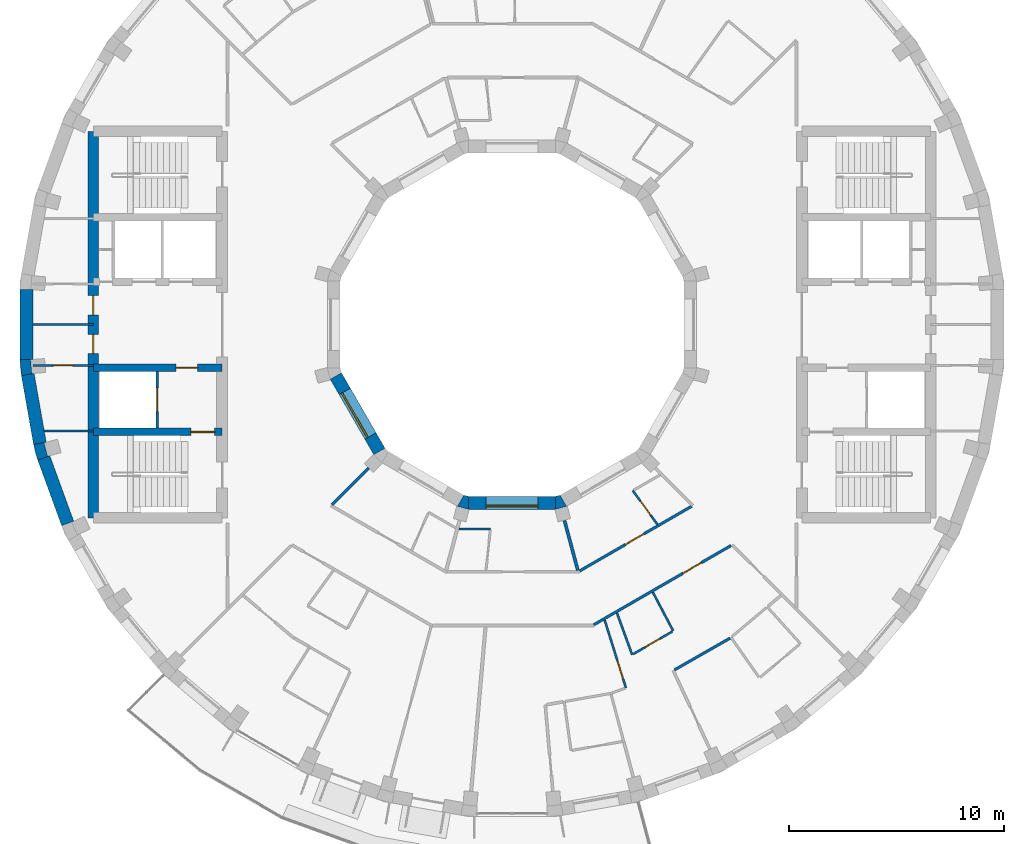
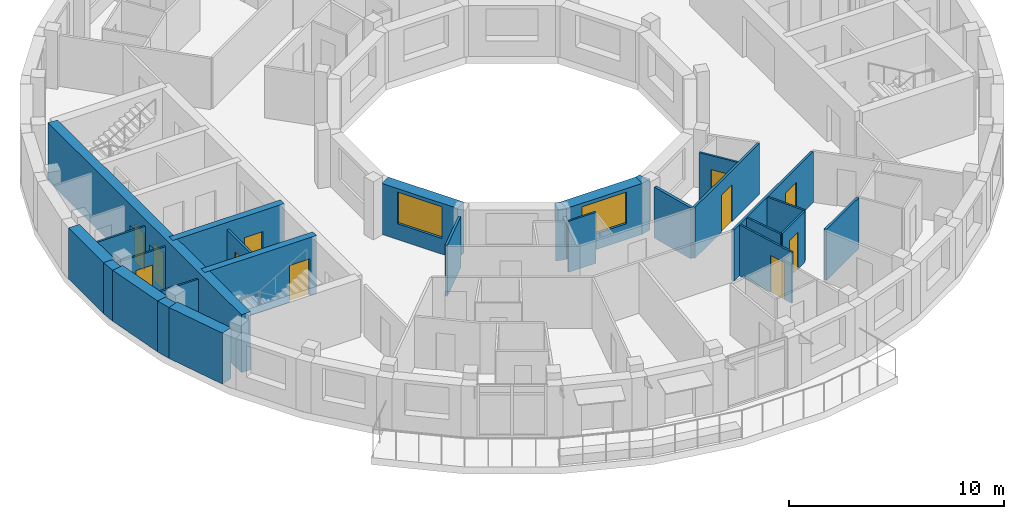
# One storey, part 5 of 12: 27 walls, 11 doors, 2 windows, 13 openings.
"""IFC4 building model written with IfcOpenShell, lengths in metres."""

from ifc_helpers import new_model, si_unit, direction, frame, frame_2d, origin, place, context, subcontext, project, spatial, polyline, rectangle, outline, extrude, material, layer, layer_set, type_object, element, fill, save


model = new_model("IFC4")

# Units and contexts
model_context = context("Model", 3, precision=1e-05, world=origin(), true_north=direction((0.0, 1.0)))
body_context = subcontext(model_context, "Body", "Model", "MODEL_VIEW")
ifc_project = project(units=[si_unit("LENGTHUNIT", "METRE"), si_unit("AREAUNIT", "SQUARE_METRE"), si_unit("VOLUMEUNIT", "CUBIC_METRE"), si_unit("PLANEANGLEUNIT", "RADIAN"), si_unit("MASSUNIT", "GRAM", prefix="KILO")], contexts=[model_context])

# Site, building, storey
site_placement = place(None, origin())
site = spatial("IfcSite", under=ifc_project, at=site_placement, CompositionType="ELEMENT")
building_placement = place(site_placement, origin())
building = spatial("IfcBuilding", under=site, at=building_placement, Name="Saqina Gate Tower", CompositionType="ELEMENT")
storey_placement = place(building_placement, frame((0.0, 0.0, 272.60009765625)))
storey = spatial("IfcBuildingStorey", under=building, at=storey_placement, Name="L78", CompositionType="ELEMENT", Elevation=272.60009765625)

# Walls
ifc_material_1 = material(Name="Brick masonry (buff)", Category="masonry")
wall_type_1 = type_object("IfcWallType", Name="BRICK PIER COPING BUFF", PredefinedType="SOLIDWALL", material=ifc_material_1)
wall_1_placement = place(storey_placement, origin())
element("IfcWall", 1, at=wall_1_placement, inside=storey, type_object=wall_type_1, Name="Pier cap L78 column 19", PredefinedType="SOLIDWALL", context=body_context, shape_type="SweptSolid", body=[
    extrude(outline(polyline([(-22.91259765625, -1.625732421875), (-22.8466796875, -2.377685546875), (-22.255859375, -2.2734375), (-22.361083984375, -2.28271484375), (-22.417724609375, -1.635009765625), (-22.3125, -1.625732421875), (-22.91259765625, -1.625732421875)])), origin(), (0.0, 0.0, 1.0), 2.89990234375),
])
wall_2_placement = place(storey_placement, origin())
element("IfcWall", 2, at=wall_2_placement, inside=storey, type_object=wall_type_1, Name="Pier cap L78 column 20", PredefinedType="SOLIDWALL", context=body_context, shape_type="SweptSolid", body=[
    extrude(outline(polyline([(-22.0869140625, -6.30859375), (-21.52294921875, -6.103515625), (-21.625, -6.130859375), (-21.793212890625, -5.5029296875), (-21.691162109375, -5.4755859375), (-22.281982421875, -5.579833984375), (-22.0869140625, -6.30859375)])), origin(), (0.0, 0.0, 1.0), 2.89990234375),
])
ifc_material_2 = material(Name="Gypsum board on steel studs", Category="steel")
ifc_layer_1 = layer(ifc_material_2, 0.10009765625)
ifc_layer_set_1 = layer_set([ifc_layer_1], Name="CORE PARTITION")
wall_type_2 = type_object("IfcWallType", Name="CORE PARTITION", PredefinedType="PARTITIONING", material=ifc_layer_set_1)
wall_3_placement = place(storey_placement, frame((-19.5, -4.949951171875, 0.0), z_axis=(0.0, 0.0, 1.0), x_axis=(-1.0, 0.0, 0.0)))
element("IfcWall", 3, at=wall_3_placement, inside=storey, type_object=wall_type_2, Name="L78-CP-W04", PredefinedType="PARTITIONING", context=body_context, shape_type="SweptSolid", body=[
    extrude(rectangle(XDim=2.283935546875, YDim=0.10009765625, at=frame_2d((1.14208984375, 0.0))), origin(), (0.0, 0.0, 1.0), 2.89990234375),
])

# Wall, opening, door
wall_4_placement = place(storey_placement, frame((-19.5, -1.89990234375, 0.0), z_axis=(0.0, 0.0, 1.0), x_axis=(-1.0, 0.0, 0.0)))
wall_4 = element("IfcWall", 4, at=wall_4_placement, inside=storey, type_object=wall_type_2, Name="L78-CP-W05", PredefinedType="PARTITIONING", context=body_context, shape_type="SweptSolid", body=[
    extrude(rectangle(XDim=2.8125, YDim=0.10009765625, at=frame_2d((1.40625, 0.0))), origin(), (0.0, 0.0, 1.0), 2.89990234375),
])
opening_1_placement = place(wall_4_placement, frame((0.956298828125, 0.0, 0.0)))
opening_1 = element("IfcOpeningElement", 5, at=opening_1_placement, cuts=wall_4, Name="Opening G23-D105", PredefinedType="OPENING", context=body_context, shape_type="SweptSolid", body=[
    extrude(rectangle(XDim=0.89990234375, YDim=2.10009765625, at=frame_2d((0.449951171875, 1.050048828125))), frame((0.0, 0.06201171875, 0.0), z_axis=(0.0, -1.0, 0.0), x_axis=(1.0, 0.0, 0.0)), (0.0, 0.0, 1.0), 0.1240234375),
])
ifc_material_3 = material(Name="Steel-framed fire door leaf, EI 60", Category="steel")
door_type_1 = type_object("IfcDoorType", Name="SERVICE ROOM DOOR 900", OperationType="SINGLE_SWING_LEFT", PredefinedType="DOOR", material=ifc_material_3)
door_1_placement = place(opening_1_placement, origin())
door_1 = element("IfcDoor", 6, at=door_1_placement, inside=storey, type_object=door_type_1, Name="L78-CD-W16", OperationType="SINGLE_SWING_RIGHT", OverallHeight=2.10009765625, OverallWidth=0.89990234375, PredefinedType="DOOR", context=body_context, shape_type="SweptSolid", body=[
    extrude(rectangle(XDim=0.89990234375, YDim=2.10009765625, at=frame_2d((0.449951171875, 1.050048828125))), frame((0.0, 0.02490234375, 0.0), z_axis=(0.0, -1.0, 0.0), x_axis=(1.0, 0.0, 0.0)), (0.0, 0.0, 1.0), 0.050048828125),
])
fill(opening_1, door_1)

# Walls
wall_5_placement = place(storey_placement, frame((-19.5, 0.0, 0.0), z_axis=(0.0, 0.0, 1.0), x_axis=(-1.0, 0.0, 0.0)))
element("IfcWall", 7, at=wall_5_placement, inside=storey, type_object=wall_type_2, Name="L78-CP-W06", PredefinedType="PARTITIONING", context=body_context, shape_type="SweptSolid", body=[
    extrude(rectangle(XDim=2.8125, YDim=0.10009765625, at=frame_2d((1.40625, 0.0))), origin(), (0.0, 0.0, 1.0), 2.89990234375),
])
ifc_material_4 = material(Name="Glazed ceramic tile", Category="ceramic")
ifc_layer_2 = layer(ifc_material_4, 0.60009765625)
ifc_layer_set_2 = layer_set([ifc_layer_2], Name="FW-TILE")
wall_type_3 = type_object("IfcWallType", Name="FW-TILE", PredefinedType="SOLIDWALL", material=ifc_layer_set_2)
wall_6_placement = place(storey_placement, frame((-22.55126953125, -2.325439453125, 0.0), z_axis=(0.0, 0.0, 1.0), x_axis=(0.173656842178, -0.984806225186, 0.0)))
element("IfcWall", 8, at=wall_6_placement, inside=storey, type_object=wall_type_3, Name="Facade wall L78 facet 19", PredefinedType="SOLIDWALL", context=body_context, shape_type="SweptSolid", body=[
    extrude(rectangle(XDim=3.251708984375, YDim=0.60009765625, at=frame_2d((1.6259765625, 0.0))), origin(), (0.0, 0.0, 1.0), 2.89990234375),
])
ifc_material_5 = material(Name="Glazed ceramic tile (dark blue)", Category="ceramic")
ifc_layer_3 = layer(ifc_material_5, 0.60009765625)
ifc_layer_set_3 = layer_set([ifc_layer_3], Name="FW-TILE-CB")
wall_type_4 = type_object("IfcWallType", Name="FW-TILE-CB", PredefinedType="SOLIDWALL", material=ifc_layer_set_3)
wall_7_placement = place(storey_placement, frame((-21.804931640625, -6.2060546875, 0.0), z_axis=(0.0, 0.0, 1.0), x_axis=(0.342056509473, -0.939679383794, 0.0)))
element("IfcWall", 9, at=wall_7_placement, inside=storey, type_object=wall_type_4, Name="Facade wall L78 facet 20", PredefinedType="SOLIDWALL", context=body_context, shape_type="SweptSolid", body=[
    extrude(rectangle(XDim=3.251708984375, YDim=0.60009765625, at=frame_2d((1.6259765625, 0.0))), origin(), (0.0, 0.0, 1.0), 2.89990234375),
])
ifc_material_6 = material(Name="Glazed ceramic tile (white)", Category="ceramic")
ifc_layer_4 = layer(ifc_material_6, 0.60009765625)
ifc_layer_set_4 = layer_set([ifc_layer_4], Name="FW-TILE-WH")
wall_type_5 = type_object("IfcWallType", Name="FW-TILE-WH", PredefinedType="SOLIDWALL", material=ifc_layer_set_4)
wall_8_placement = place(storey_placement, frame((-22.612548828125, 1.625732421875, 0.0), z_axis=(0.0, 0.0, 1.0), x_axis=(0.0, -1.0, 0.0)))
element("IfcWall", 10, at=wall_8_placement, inside=storey, type_object=wall_type_5, Name="Facade wall L78 facet 18", PredefinedType="SOLIDWALL", context=body_context, shape_type="SweptSolid", body=[
    extrude(rectangle(XDim=3.25146484375, YDim=0.60009765625, at=frame_2d((1.625732421875, 0.0))), origin(), (0.0, 0.0, 1.0), 2.89990234375),
])

# Wall, opening, window
ifc_material_7 = material(Name="Glazed ceramic tile", Category="ceramic")
ifc_layer_5 = layer(ifc_material_7, 0.60009765625)
ifc_layer_set_5 = layer_set([ifc_layer_5], Name="IW-TILE")
wall_type_6 = type_object("IfcWallType", Name="IW-TILE", PredefinedType="SOLIDWALL", material=ifc_layer_set_5)
wall_9_placement = place(storey_placement, frame((-8.20263671875, -2.392578125, 0.0), z_axis=(0.0, 0.0, 1.0), x_axis=(0.499994954979, -0.866028316509, 0.0)))
wall_9 = element("IfcWall", 11, at=wall_9_placement, inside=storey, type_object=wall_type_6, Name="Well wall L78 facet 7", PredefinedType="SOLIDWALL", context=body_context, shape_type="SweptSolid", body=[
    extrude(rectangle(XDim=4.05859375, YDim=0.60009765625, at=frame_2d((2.029296875, 0.0))), origin(), (0.0, 0.0, 1.0), 2.89990234375),
])
opening_2_placement = place(wall_9_placement, frame((0.829345703125, 0.0, 0.89990234375)))
opening_2 = element("IfcOpeningElement", 12, at=opening_2_placement, cuts=wall_9, Name="Opening G23-W29", PredefinedType="OPENING", context=body_context, shape_type="SweptSolid", body=[
    extrude(rectangle(XDim=2.39990234375, YDim=1.800048828125, at=frame_2d((1.199951171875, 0.89990234375))), frame((0.0, 0.31201171875, 0.0), z_axis=(0.0, -1.0, 0.0), x_axis=(1.0, 0.0, 0.0)), (0.0, 0.0, 1.0), 0.6240234375),
])
ifc_material_8 = material(Name="Aluminium glazing", Category="aluminium")
window_type = type_object("IfcWindowType", Name="WN-W", PartitioningType="SINGLE_PANEL", PredefinedType="WINDOW", material=ifc_material_8)
window_1_placement = place(opening_2_placement, origin())
window_1 = element("IfcWindow", 13, at=window_1_placement, inside=storey, type_object=window_type, Name="Well window L78 facet 7", OverallHeight=1.800048828125, OverallWidth=2.39990234375, PartitioningType="SINGLE_PANEL", PredefinedType="WINDOW", context=body_context, shape_type="SweptSolid", body=[
    extrude(rectangle(XDim=2.39990234375, YDim=1.800048828125, at=frame_2d((1.199951171875, 0.89990234375))), frame((0.0, -0.119873046875, 0.0), z_axis=(0.0, -1.0, 0.0), x_axis=(1.0, 0.0, 0.0)), (0.0, 0.0, 1.0), 0.06005859375),
])
fill(opening_2, window_1)

wall_10_placement = place(storey_placement, frame((-2.029296875, -8.300048828125, 0.0), z_axis=(0.0, 0.0, 1.0), x_axis=(1.0, 0.0, 0.0)))
wall_10 = element("IfcWall", 14, at=wall_10_placement, inside=storey, type_object=wall_type_6, Name="Well wall L78 facet 9", PredefinedType="SOLIDWALL", context=body_context, shape_type="SweptSolid", body=[
    extrude(rectangle(XDim=4.05859375, YDim=0.60009765625, at=frame_2d((2.029296875, 0.0))), origin(), (0.0, 0.0, 1.0), 2.89990234375),
])
opening_3_placement = place(wall_10_placement, frame((0.829345703125, 0.0, 0.89990234375)))
opening_3 = element("IfcOpeningElement", 15, at=opening_3_placement, cuts=wall_10, Name="Opening G23-W31", PredefinedType="OPENING", context=body_context, shape_type="SweptSolid", body=[
    extrude(rectangle(XDim=2.39990234375, YDim=1.800048828125, at=frame_2d((1.199951171875, 0.89990234375))), frame((0.0, 0.31201171875, 0.0), z_axis=(0.0, -1.0, 0.0), x_axis=(1.0, 0.0, 0.0)), (0.0, 0.0, 1.0), 0.6240234375),
])
window_2_placement = place(opening_3_placement, origin())
window_2 = element("IfcWindow", 16, at=window_2_placement, inside=storey, type_object=window_type, Name="Well window L78 facet 9", OverallHeight=1.800048828125, OverallWidth=2.39990234375, PartitioningType="SINGLE_PANEL", PredefinedType="WINDOW", context=body_context, shape_type="SweptSolid", body=[
    extrude(rectangle(XDim=2.39990234375, YDim=1.800048828125, at=frame_2d((1.199951171875, 0.89990234375))), frame((0.0, -0.119873046875, 0.0), z_axis=(0.0, -1.0, 0.0), x_axis=(1.0, 0.0, 0.0)), (0.0, 0.0, 1.0), 0.06005859375),
])
fill(opening_3, window_2)

# Wall, opening, door
ifc_material_9 = material(Name="Gypsum board on steel studs, 100 mm", Category="steel")
ifc_layer_6 = layer(ifc_material_9, 0.10009765625)
ifc_layer_set_6 = layer_set([ifc_layer_6], Name="PARTITION 100")
wall_type_7 = type_object("IfcWallType", Name="PARTITION 100", PredefinedType="PARTITIONING", material=ifc_layer_set_6)
wall_11_placement = place(storey_placement, frame((4.314697265625, -13.757568359375, 0.0), z_axis=(0.0, 0.0, 1.0), x_axis=(0.299479577404, -0.95410271078, 0.0)))
wall_11 = element("IfcWall", 17, at=wall_11_placement, inside=storey, type_object=wall_type_7, Name="PARTITION PW3-08", PredefinedType="PARTITIONING", context=body_context, shape_type="SweptSolid", body=[
    extrude(rectangle(XDim=3.3115234375, YDim=0.10009765625, at=frame_2d((1.65576171875, 0.0))), origin(), (0.0, 0.0, 1.0), 2.89990234375),
])
opening_4_placement = place(wall_11_placement, frame((1.973876953125, 0.0, 0.0)))
opening_4 = element("IfcOpeningElement", 18, at=opening_4_placement, cuts=wall_11, Name="Opening G23-D33", PredefinedType="OPENING", context=body_context, shape_type="SweptSolid", body=[
    extrude(rectangle(XDim=0.89990234375, YDim=2.10009765625, at=frame_2d((0.449951171875, 1.050048828125))), frame((0.0, 0.06201171875, 0.0), z_axis=(0.0, -1.0, 0.0), x_axis=(1.0, 0.0, 0.0)), (0.0, 0.0, 1.0), 0.1240234375),
])
ifc_material_10 = material(Name="Timber door leaf, 900 mm", Category="wood")
door_type_2 = type_object("IfcDoorType", Name="DOOR 900 TIMBER", OperationType="SINGLE_SWING_LEFT", PredefinedType="DOOR", material=ifc_material_10)
door_2_placement = place(opening_4_placement, origin())
door_2 = element("IfcDoor", 19, at=door_2_placement, inside=storey, type_object=door_type_2, Name="DOOR G23-D33", OperationType="SINGLE_SWING_LEFT", OverallHeight=2.10009765625, OverallWidth=0.89990234375, PredefinedType="DOOR", context=body_context, shape_type="SweptSolid", body=[
    extrude(rectangle(XDim=0.89990234375, YDim=2.10009765625, at=frame_2d((0.449951171875, 1.050048828125))), frame((0.0, 0.02490234375, 0.0), z_axis=(0.0, -1.0, 0.0), x_axis=(1.0, 0.0, 0.0)), (0.0, 0.0, 1.0), 0.050048828125),
])
fill(opening_4, door_2)

# Walls
wall_12_placement = place(storey_placement, frame((4.887451171875, -13.4267578125, 0.0), z_axis=(0.0, 0.0, 1.0), x_axis=(0.34179045994, -0.939776186916, 0.0)))
element("IfcWall", 20, at=wall_12_placement, inside=storey, type_object=wall_type_7, Name="PARTITION PW3-09", PredefinedType="PARTITIONING", context=body_context, shape_type="SweptSolid", body=[
    extrude(rectangle(XDim=2.06787109375, YDim=0.10009765625, at=frame_2d((1.033935546875, 0.0))), origin(), (0.0, 0.0, 1.0), 2.89990234375),
])
wall_13_placement = place(storey_placement, frame((6.559326171875, -12.46240234375, 0.0), z_axis=(0.0, 0.0, 1.0), x_axis=(0.465716796336, -0.884933819904, 0.0)))
element("IfcWall", 21, at=wall_13_placement, inside=storey, type_object=wall_type_7, Name="PARTITION PW3-11", PredefinedType="PARTITIONING", context=body_context, shape_type="SweptSolid", body=[
    extrude(rectangle(XDim=2.037109375, YDim=0.10009765625, at=frame_2d((1.0185546875, 0.0))), origin(), (0.0, 0.0, 1.0), 2.89990234375),
])

# Wall, opening, door
wall_14_placement = place(storey_placement, frame((5.6259765625, -7.73291015625, 0.0), z_axis=(0.0, 0.0, 1.0), x_axis=(0.588655753786, -0.808383821915, 0.0)))
wall_14 = element("IfcWall", 22, at=wall_14_placement, inside=storey, type_object=wall_type_7, Name="PARTITION PW3-14", PredefinedType="PARTITIONING", context=body_context, shape_type="SweptSolid", body=[
    extrude(rectangle(XDim=1.948974609375, YDim=0.10009765625, at=frame_2d((0.974609375, 0.0))), origin(), (0.0, 0.0, 1.0), 2.89990234375),
])
opening_5_placement = place(wall_14_placement, frame((0.605712890625, 0.0, 0.0)))
opening_5 = element("IfcOpeningElement", 23, at=opening_5_placement, cuts=wall_14, Name="Opening G23-D37", PredefinedType="OPENING", context=body_context, shape_type="SweptSolid", body=[
    extrude(rectangle(XDim=0.800048828125, YDim=2.10009765625, at=frame_2d((0.39990234375, 1.050048828125))), frame((0.0, 0.06201171875, 0.0), z_axis=(0.0, -1.0, 0.0), x_axis=(1.0, 0.0, 0.0)), (0.0, 0.0, 1.0), 0.1240234375),
])
ifc_material_11 = material(Name="Timber door leaf, 800 mm", Category="wood")
door_type_3 = type_object("IfcDoorType", Name="DOOR 800 TIMBER", OperationType="SINGLE_SWING_LEFT", PredefinedType="DOOR", material=ifc_material_11)
door_3_placement = place(opening_5_placement, frame((0.800048828125, 0.0, 0.0), z_axis=(0.0, 0.0, 1.0), x_axis=(-1.0, 0.0, 0.0)))
door_3 = element("IfcDoor", 24, at=door_3_placement, inside=storey, type_object=door_type_3, Name="DOOR G23-D37", OperationType="SINGLE_SWING_LEFT", OverallHeight=2.10009765625, OverallWidth=0.800048828125, PredefinedType="DOOR", context=body_context, shape_type="SweptSolid", body=[
    extrude(rectangle(XDim=0.800048828125, YDim=2.10009765625, at=frame_2d((0.39990234375, 1.050048828125))), frame((0.0, 0.02490234375, 0.0), z_axis=(0.0, -1.0, 0.0), x_axis=(1.0, 0.0, 0.0)), (0.0, 0.0, 1.0), 0.050048828125),
])
fill(opening_5, door_3)

# Wall
wall_15_placement = place(storey_placement, frame((-2.472900390625, -9.510009765625, 0.0), z_axis=(0.0, 0.0, 1.0), x_axis=(1.0, 0.0, 0.0)))
element("IfcWall", 25, at=wall_15_placement, inside=storey, type_object=wall_type_7, Name="PARTITION PW3-25", PredefinedType="PARTITIONING", context=body_context, shape_type="SweptSolid", body=[
    extrude(rectangle(XDim=1.466796875, YDim=0.10009765625, at=frame_2d((0.7333984375, 0.0))), origin(), (0.0, 0.0, 1.0), 2.89990234375),
])

# Wall, opening, door
wall_16_placement = place(storey_placement, frame((5.64013671875, -15.345947265625, 0.0), z_axis=(0.0, 0.0, 1.0), x_axis=(0.866046731735, 0.499963057087, 0.0)))
wall_16 = element("IfcWall", 26, at=wall_16_placement, inside=storey, type_object=wall_type_7, Name="PARTITION PW3-34", PredefinedType="PARTITIONING", context=body_context, shape_type="SweptSolid", body=[
    extrude(rectangle(XDim=2.108154296875, YDim=0.10009765625, at=frame_2d((1.05419921875, 0.0))), origin(), (0.0, 0.0, 1.0), 2.89990234375),
])
opening_6_placement = place(wall_16_placement, frame((0.653076171875, 0.0, 0.0)))
opening_6 = element("IfcOpeningElement", 27, at=opening_6_placement, cuts=wall_16, Name="Opening G23-D34", PredefinedType="OPENING", context=body_context, shape_type="SweptSolid", body=[
    extrude(rectangle(XDim=0.800048828125, YDim=2.10009765625, at=frame_2d((0.39990234375, 1.050048828125))), frame((0.0, 0.06201171875, 0.0), z_axis=(0.0, -1.0, 0.0), x_axis=(1.0, 0.0, 0.0)), (0.0, 0.0, 1.0), 0.1240234375),
])
door_4_placement = place(opening_6_placement, frame((0.800048828125, 0.0, 0.0), z_axis=(0.0, 0.0, 1.0), x_axis=(-1.0, 0.0, 0.0)))
door_4 = element("IfcDoor", 28, at=door_4_placement, inside=storey, type_object=door_type_3, Name="DOOR G23-D34", OperationType="SINGLE_SWING_RIGHT", OverallHeight=2.10009765625, OverallWidth=0.800048828125, PredefinedType="DOOR", context=body_context, shape_type="SweptSolid", body=[
    extrude(rectangle(XDim=0.800048828125, YDim=2.10009765625, at=frame_2d((0.39990234375, 1.050048828125))), frame((0.0, 0.02490234375, 0.0), z_axis=(0.0, -1.0, 0.0), x_axis=(1.0, 0.0, 0.0)), (0.0, 0.0, 1.0), 0.050048828125),
])
fill(opening_6, door_4)

# Wall
ifc_material_12 = material(Name="Gypsum board on steel studs, 125 mm, fire rated", Category="steel")
ifc_layer_7 = layer(ifc_material_12, 0.125)
ifc_layer_set_7 = layer_set([ifc_layer_7], Name="PARTITION EI 30 125")
wall_type_8 = type_object("IfcWallType", Name="PARTITION EI 30 125", PredefinedType="PARTITIONING", material=ifc_layer_set_7)
wall_17_placement = place(storey_placement, frame((7.568603515625, -16.07861328125, 0.0), z_axis=(0.0, 0.0, 1.0), x_axis=(0.868243142124, 0.496138938357, 0.0)))
element("IfcWall", 29, at=wall_17_placement, inside=storey, type_object=wall_type_8, Name="PARTITION PW1-24", PredefinedType="PARTITIONING", context=body_context, shape_type="SweptSolid", body=[
    extrude(rectangle(XDim=2.98388671875, YDim=0.125, at=frame_2d((1.491943359375, 0.0))), origin(), (0.0, 0.0, 1.0), 2.89990234375),
])

# Wall, opening, door
wall_18_placement = place(storey_placement, frame((3.80810546875, -13.978759765625, 0.0), z_axis=(0.0, 0.0, 1.0), x_axis=(0.866028642731, 0.499994389938, 0.0)))
wall_18 = element("IfcWall", 30, at=wall_18_placement, inside=storey, type_object=wall_type_8, Name="PARTITION PW1-26", PredefinedType="PARTITIONING", context=body_context, shape_type="SweptSolid", body=[
    extrude(rectangle(XDim=7.3828125, YDim=0.125, at=frame_2d((3.69140625, 0.0))), origin(), (0.0, 0.0, 1.0), 2.89990234375),
])
opening_7_placement = place(wall_18_placement, frame((4.794921875, 0.0, 0.0)))
opening_7 = element("IfcOpeningElement", 31, at=opening_7_placement, cuts=wall_18, Name="Opening G23-D38", PredefinedType="OPENING", context=body_context, shape_type="SweptSolid", body=[
    extrude(rectangle(XDim=1.0, YDim=2.10009765625, at=frame_2d((0.5, 1.050048828125))), frame((0.0, 0.074462890625, 0.0), z_axis=(0.0, -1.0, 0.0), x_axis=(1.0, 0.0, 0.0)), (0.0, 0.0, 1.0), 0.14892578125),
])
ifc_material_13 = material(Name="Fire door leaf EI 30, 1000 mm")
door_type_4 = type_object("IfcDoorType", Name="DOOR 1000 EI 30", OperationType="SINGLE_SWING_LEFT", PredefinedType="DOOR", material=ifc_material_13)
door_5_placement = place(opening_7_placement, frame((1.0, 0.0, 0.0), z_axis=(0.0, 0.0, 1.0), x_axis=(-1.0, 0.0, 0.0)))
door_5 = element("IfcDoor", 32, at=door_5_placement, inside=storey, type_object=door_type_4, Name="DOOR G23-D38", OperationType="SINGLE_SWING_LEFT", OverallHeight=2.10009765625, OverallWidth=1.0, PredefinedType="DOOR", context=body_context, shape_type="SweptSolid", body=[
    extrude(rectangle(XDim=1.0, YDim=2.10009765625, at=frame_2d((0.5, 1.050048828125))), frame((0.0, 0.02490234375, 0.0), z_axis=(0.0, -1.0, 0.0), x_axis=(1.0, 0.0, 0.0)), (0.0, 0.0, 1.0), 0.050048828125),
])
fill(opening_7, door_5)

wall_19_placement = place(storey_placement, frame((3.14892578125, -11.472412109375, 0.0), z_axis=(0.0, 0.0, 1.0), x_axis=(0.866047390407, 0.499961916119, 0.0)))
wall_19 = element("IfcWall", 33, at=wall_19_placement, inside=storey, type_object=wall_type_8, Name="PARTITION PW1-27", PredefinedType="PARTITIONING", context=body_context, shape_type="SweptSolid", body=[
    extrude(rectangle(XDim=6.03076171875, YDim=0.125, at=frame_2d((3.015380859375, 0.0))), origin(), (0.0, 0.0, 1.0), 2.89990234375),
])
opening_8_placement = place(wall_19_placement, frame((2.458984375, 0.0, 0.0)))
opening_8 = element("IfcOpeningElement", 34, at=opening_8_placement, cuts=wall_19, Name="Opening G23-D36", PredefinedType="OPENING", context=body_context, shape_type="SweptSolid", body=[
    extrude(rectangle(XDim=1.0, YDim=2.10009765625, at=frame_2d((0.5, 1.050048828125))), frame((0.0, 0.074462890625, 0.0), z_axis=(0.0, -1.0, 0.0), x_axis=(1.0, 0.0, 0.0)), (0.0, 0.0, 1.0), 0.14892578125),
])
door_6_placement = place(opening_8_placement, origin())
door_6 = element("IfcDoor", 35, at=door_6_placement, inside=storey, type_object=door_type_4, Name="DOOR G23-D36", OperationType="SINGLE_SWING_LEFT", OverallHeight=2.10009765625, OverallWidth=1.0, PredefinedType="DOOR", context=body_context, shape_type="SweptSolid", body=[
    extrude(rectangle(XDim=1.0, YDim=2.10009765625, at=frame_2d((0.5, 1.050048828125))), frame((0.0, 0.02490234375, 0.0), z_axis=(0.0, -1.0, 0.0), x_axis=(1.0, 0.0, 0.0)), (0.0, 0.0, 1.0), 0.050048828125),
])
fill(opening_8, door_6)

# Walls
wall_20_placement = place(storey_placement, frame((-8.3818359375, -8.3818359375, 0.0), z_axis=(0.0, 0.0, 1.0), x_axis=(0.707106781187, 0.707106781187, 0.0)))
element("IfcWall", 36, at=wall_20_placement, inside=storey, type_object=wall_type_8, Name="PARTITION PW1-33", PredefinedType="PARTITIONING", context=body_context, shape_type="SweptSolid", body=[
    extrude(rectangle(XDim=2.411376953125, YDim=0.125, at=frame_2d((1.20556640625, 0.0))), origin(), (0.0, 0.0, 1.0), 2.89990234375),
])
ifc_material_14 = material(Name="Gypsum board on steel studs, 150 mm, fire rated", Category="steel")
ifc_layer_8 = layer(ifc_material_14, 0.14990234375)
ifc_layer_set_8 = layer_set([ifc_layer_8], Name="PARTITION EI 60 150")
wall_type_9 = type_object("IfcWallType", Name="PARTITION EI 60 150", PredefinedType="PARTITIONING", material=ifc_layer_set_8)
wall_21_placement = place(storey_placement, frame((2.444091796875, -9.120361328125, 0.0), z_axis=(0.0, 0.0, 1.0), x_axis=(0.258891282715, -0.965906467384, 0.0)))
element("IfcWall", 37, at=wall_21_placement, inside=storey, type_object=wall_type_9, Name="PARTITION PW2-02", PredefinedType="PARTITIONING", context=body_context, shape_type="SweptSolid", body=[
    extrude(rectangle(XDim=2.411376953125, YDim=0.14990234375, at=frame_2d((1.20556640625, 0.0))), origin(), (0.0, 0.0, 1.0), 2.89990234375),
])

# Wall, opening, door
ifc_material_15 = material(Name="Autoclaved aerated concrete block", Category="concrete")
ifc_layer_9 = layer(ifc_material_15, 0.1201171875)
ifc_layer_set_9 = layer_set([ifc_layer_9], Name="SHAFT PARTITION")
wall_type_10 = type_object("IfcWallType", Name="SHAFT PARTITION", PredefinedType="PARTITIONING", material=ifc_layer_set_9)
wall_22_placement = place(storey_placement, frame((-16.530029296875, -4.824951171875, 0.0), z_axis=(0.0, 0.0, 1.0), x_axis=(0.0, 1.0, 0.0)))
wall_22 = element("IfcWall", 38, at=wall_22_placement, inside=storey, type_object=wall_type_10, Name="L78-CP-W09", PredefinedType="PARTITIONING", context=body_context, shape_type="SweptSolid", body=[
    extrude(rectangle(XDim=2.64990234375, YDim=0.1201171875, at=frame_2d((1.324951171875, 0.0))), origin(), (0.0, 0.0, 1.0), 2.89990234375),
])
opening_9_placement = place(wall_22_placement, frame((0.77490234375, 0.0, 0.0)))
opening_9 = element("IfcOpeningElement", 39, at=opening_9_placement, cuts=wall_22, Name="Opening G23-LD6", PredefinedType="OPENING", context=body_context, shape_type="SweptSolid", body=[
    extrude(rectangle(XDim=1.10009765625, YDim=2.10009765625, at=frame_2d((0.550048828125, 1.050048828125))), frame((0.0, 0.072021484375, 0.0), z_axis=(0.0, -1.0, 0.0), x_axis=(1.0, 0.0, 0.0)), (0.0, 0.0, 1.0), 0.14404296875),
])
ifc_material_16 = material(Name="Stainless steel", Category="steel")
door_type_5 = type_object("IfcDoorType", Name="LANDING DOOR", OperationType="DOUBLE_DOOR_SLIDING", PredefinedType="DOOR", material=ifc_material_16)
door_7_placement = place(opening_9_placement, origin())
door_7 = element("IfcDoor", 40, at=door_7_placement, inside=storey, type_object=door_type_5, Name="LANDING DOOR FF2", OperationType="DOUBLE_DOOR_SLIDING", OverallHeight=2.10009765625, OverallWidth=1.10009765625, PredefinedType="DOOR", context=body_context, shape_type="SweptSolid", body=[
    extrude(rectangle(XDim=1.10009765625, YDim=2.10009765625, at=frame_2d((0.550048828125, 1.050048828125))), frame((0.0, 0.02490234375, 0.0), z_axis=(0.0, -1.0, 0.0), x_axis=(1.0, 0.0, 0.0)), (0.0, 0.0, 1.0), 0.050048828125),
])
fill(opening_9, door_7)

ifc_material_17 = material(Name="Concrete C60/75", Category="concrete")
ifc_layer_10 = layer(ifc_material_17, 0.35009765625)
ifc_layer_set_10 = layer_set([ifc_layer_10], Name="Concrete C60/75")
wall_type_11 = type_object("IfcWallType", Name="STR-CORE WALL-D-I", PredefinedType="SHEAR", material=ifc_layer_set_10)
wall_23_placement = place(storey_placement, frame((-13.5, -5.0, 0.0), z_axis=(0.0, 0.0, 1.0), x_axis=(-1.0, 0.0, 0.0)))
wall_23 = element("IfcWall", 41, at=wall_23_placement, inside=storey, type_object=wall_type_11, Name="CORE WALL L78 W-X2", PredefinedType="SHEAR", context=body_context, shape_type="SweptSolid", body=[
    extrude(rectangle(XDim=6.0, YDim=0.35009765625, at=frame_2d((3.0, 0.0))), origin(), (0.0, 0.0, 1.0), 3.2998046875),
])
opening_10_placement = place(wall_23_placement, frame((0.35009765625, 0.0, 0.0)))
opening_10 = element("IfcOpeningElement", 42, at=opening_10_placement, cuts=wall_23, Name="Opening G23-D108", PredefinedType="OPENING", context=body_context, shape_type="SweptSolid", body=[
    extrude(rectangle(XDim=1.10009765625, YDim=2.10009765625, at=frame_2d((0.550048828125, 1.050048828125))), frame((0.0, 0.18701171875, 0.0), z_axis=(0.0, -1.0, 0.0), x_axis=(1.0, 0.0, 0.0)), (0.0, 0.0, 1.0), 0.3740234375),
])
ifc_material_18 = material(Name="Steel", Category="steel")
door_type_6 = type_object("IfcDoorType", Name="FIRE LOBBY DOOR EI 60 WIDE", OperationType="SINGLE_SWING_LEFT", PredefinedType="DOOR", material=ifc_material_18)
door_8_placement = place(opening_10_placement, origin())
door_8 = element("IfcDoor", 43, at=door_8_placement, inside=storey, type_object=door_type_6, Name="L78-CD-W19", OperationType="SINGLE_SWING_LEFT", OverallHeight=2.10009765625, OverallWidth=1.10009765625, PredefinedType="DOOR", context=body_context, shape_type="SweptSolid", body=[
    extrude(rectangle(XDim=1.10009765625, YDim=2.10009765625, at=frame_2d((0.550048828125, 1.050048828125))), frame((0.0, 0.02490234375, 0.0), z_axis=(0.0, -1.0, 0.0), x_axis=(1.0, 0.0, 0.0)), (0.0, 0.0, 1.0), 0.050048828125),
])
fill(opening_10, door_8)

wall_24_placement = place(storey_placement, frame((-13.5, -2.0, 0.0), z_axis=(0.0, 0.0, 1.0), x_axis=(-1.0, 0.0, 0.0)))
wall_24 = element("IfcWall", 44, at=wall_24_placement, inside=storey, type_object=wall_type_11, Name="CORE WALL L78 W-L2", PredefinedType="SHEAR", context=body_context, shape_type="SweptSolid", body=[
    extrude(rectangle(XDim=6.0, YDim=0.35009765625, at=frame_2d((3.0, 0.0))), origin(), (0.0, 0.0, 1.0), 3.2998046875),
])
opening_11_placement = place(wall_24_placement, frame((1.139892578125, 0.0, 0.0)))
opening_11 = element("IfcOpeningElement", 45, at=opening_11_placement, cuts=wall_24, Name="Opening G23-D102", PredefinedType="OPENING", context=body_context, shape_type="SweptSolid", body=[
    extrude(rectangle(XDim=1.0, YDim=2.10009765625, at=frame_2d((0.5, 1.050048828125))), frame((0.0, 0.18701171875, 0.0), z_axis=(0.0, -1.0, 0.0), x_axis=(1.0, 0.0, 0.0)), (0.0, 0.0, 1.0), 0.3740234375),
])
ifc_material_19 = material(Name="Steel", Category="steel")
door_type_7 = type_object("IfcDoorType", Name="FIRE LOBBY DOOR EI 60", OperationType="SINGLE_SWING_LEFT", PredefinedType="DOOR", material=ifc_material_19)
door_9_placement = place(opening_11_placement, frame((1.0, 0.0, 0.0), z_axis=(0.0, 0.0, 1.0), x_axis=(-1.0, 0.0, 0.0)))
door_9 = element("IfcDoor", 46, at=door_9_placement, inside=storey, type_object=door_type_7, Name="L78-CD-W13", OperationType="SINGLE_SWING_RIGHT", OverallHeight=2.10009765625, OverallWidth=1.0, PredefinedType="DOOR", context=body_context, shape_type="SweptSolid", body=[
    extrude(rectangle(XDim=1.0, YDim=2.10009765625, at=frame_2d((0.5, 1.050048828125))), frame((0.0, 0.02490234375, 0.0), z_axis=(0.0, -1.0, 0.0), x_axis=(1.0, 0.0, 0.0)), (0.0, 0.0, 1.0), 0.050048828125),
])
fill(opening_11, door_9)

# Wall, openings, doors
ifc_material_20 = material(Name="Concrete C60/75", Category="concrete")
ifc_layer_11 = layer(ifc_material_20, 0.5)
ifc_layer_set_11 = layer_set([ifc_layer_11], Name="Concrete C60/75")
wall_type_12 = type_object("IfcWallType", Name="STR-CORE WALL-D-O", PredefinedType="SHEAR", material=ifc_layer_set_11)
wall_25_placement = place(storey_placement, frame((-19.5, -9.0, 0.0), z_axis=(0.0, 0.0, 1.0), x_axis=(0.0, 1.0, 0.0)))
wall_25 = element("IfcWall", 47, at=wall_25_placement, inside=storey, type_object=wall_type_12, Name="CORE WALL L78 W-W2", PredefinedType="SHEAR", context=body_context, shape_type="SweptSolid", body=[
    extrude(rectangle(XDim=18.0, YDim=0.5, at=frame_2d((9.0, 0.0))), origin(), (0.0, 0.0, 1.0), 3.2998046875),
])
opening_12_placement = place(wall_25_placement, frame((9.449951171875, 0.0, 0.0)))
opening_12 = element("IfcOpeningElement", 48, at=opening_12_placement, cuts=wall_25, Name="Opening G23-D104", PredefinedType="OPENING", context=body_context, shape_type="SweptSolid", body=[
    extrude(rectangle(XDim=0.89990234375, YDim=2.10009765625, at=frame_2d((0.449951171875, 1.050048828125))), frame((0.0, 0.261962890625, 0.0), z_axis=(0.0, -1.0, 0.0), x_axis=(1.0, 0.0, 0.0)), (0.0, 0.0, 1.0), 0.52392578125),
])
opening_13_placement = place(wall_25_placement, frame((7.64990234375, 0.0, 0.0)))
opening_13 = element("IfcOpeningElement", 49, at=opening_13_placement, cuts=wall_25, Name="Opening G23-D106", PredefinedType="OPENING", context=body_context, shape_type="SweptSolid", body=[
    extrude(rectangle(XDim=0.89990234375, YDim=2.10009765625, at=frame_2d((0.449951171875, 1.050048828125))), frame((0.0, 0.261962890625, 0.0), z_axis=(0.0, -1.0, 0.0), x_axis=(1.0, 0.0, 0.0)), (0.0, 0.0, 1.0), 0.52392578125),
])
door_10_placement = place(opening_12_placement, origin())
door_10 = element("IfcDoor", 50, at=door_10_placement, inside=storey, type_object=door_type_1, Name="L78-CD-W15", OperationType="SINGLE_SWING_RIGHT", OverallHeight=2.10009765625, OverallWidth=0.89990234375, PredefinedType="DOOR", context=body_context, shape_type="SweptSolid", body=[
    extrude(rectangle(XDim=0.89990234375, YDim=2.10009765625, at=frame_2d((0.449951171875, 1.050048828125))), frame((0.0, 0.02490234375, 0.0), z_axis=(0.0, -1.0, 0.0), x_axis=(1.0, 0.0, 0.0)), (0.0, 0.0, 1.0), 0.050048828125),
])
fill(opening_12, door_10)
door_11_placement = place(opening_13_placement, origin())
door_11 = element("IfcDoor", 51, at=door_11_placement, inside=storey, type_object=door_type_1, Name="L78-CD-W17", OperationType="SINGLE_SWING_LEFT", OverallHeight=2.10009765625, OverallWidth=0.89990234375, PredefinedType="DOOR", context=body_context, shape_type="SweptSolid", body=[
    extrude(rectangle(XDim=0.89990234375, YDim=2.10009765625, at=frame_2d((0.449951171875, 1.050048828125))), frame((0.0, 0.02490234375, 0.0), z_axis=(0.0, -1.0, 0.0), x_axis=(1.0, 0.0, 0.0)), (0.0, 0.0, 1.0), 0.050048828125),
])
fill(opening_13, door_11)

# Walls
ifc_material_21 = material(Name="Glazed ceramic tile", Category="ceramic")
wall_type_13 = type_object("IfcWallType", Name="TILE PIER COPING", PredefinedType="SOLIDWALL", material=ifc_material_21)
wall_26_placement = place(storey_placement, origin())
element("IfcWall", 52, at=wall_26_placement, inside=storey, type_object=wall_type_13, Name="Well pier cap L78 column 9", PredefinedType="SOLIDWALL", context=body_context, shape_type="SweptSolid", body=[
    extrude(outline(polyline([(-2.029296875, -8.60009765625), (-2.029296875, -8.0), (-2.242431640625, -7.94287109375), (-2.54248046875, -8.46240234375), (-2.029296875, -8.60009765625)])), origin(), (0.0, 0.0, 1.0), 2.89990234375),
])
wall_27_placement = place(storey_placement, origin())
element("IfcWall", 53, at=wall_27_placement, inside=storey, type_object=wall_type_13, Name="Well pier cap L78 column 10", PredefinedType="SOLIDWALL", context=body_context, shape_type="SweptSolid", body=[
    extrude(outline(polyline([(2.54248046875, -8.46240234375), (2.242431640625, -7.94287109375), (2.029296875, -8.0), (2.029296875, -8.60009765625), (2.54248046875, -8.46240234375)])), origin(), (0.0, 0.0, 1.0), 2.89990234375),
])

save(model, "model.ifc")
